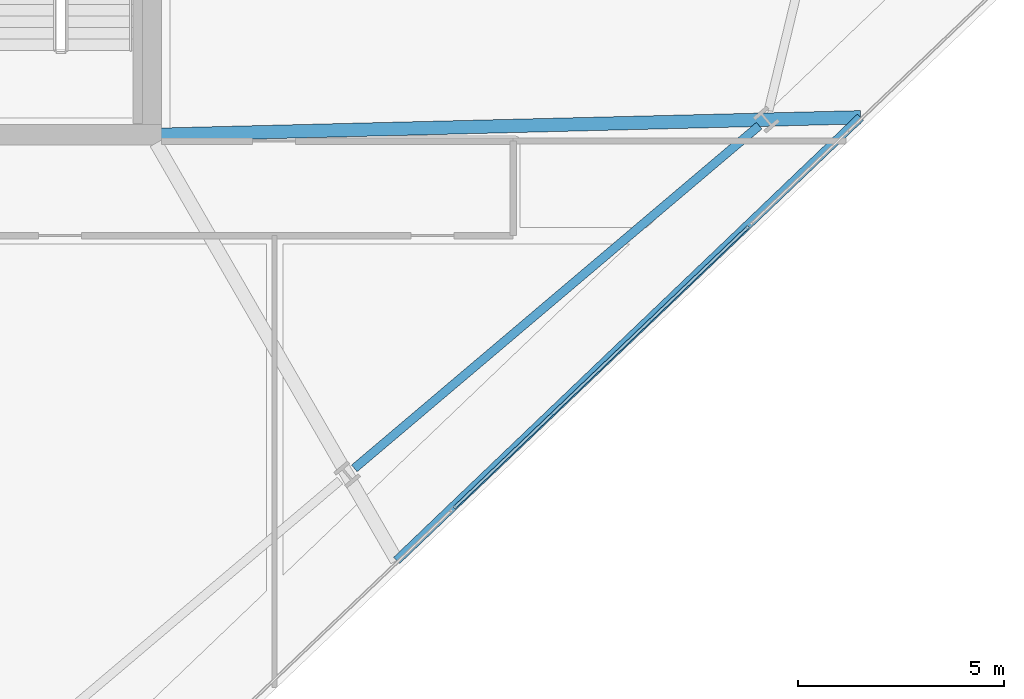
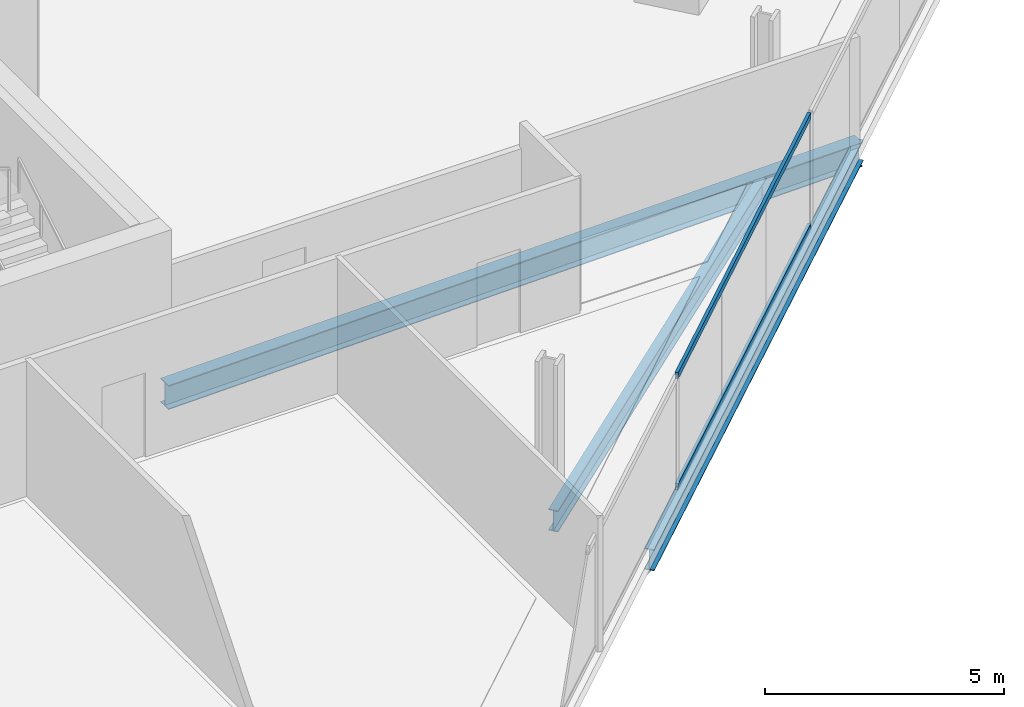
# One storey, part 9 of 33: 3 beams, 2 members, 1 element without a shape of its own.
"""IFC4 building model written with IfcOpenShell, lengths in metres."""

import ifcopenshell
import ifcopenshell.guid

model = None  # the IFC model being written
_history = None  # IfcOwnerHistory: only IFC2X3 demands one
_inside = {}  # id of a spatial element -> (the spatial element, [elements in it])
_under = {}  # id of a project, library or spatial element -> (it, [spatial elements below it])
_declared = {}  # id of a project -> (the project, [libraries it declares])
_typed = {}  # id of a type object -> (the type object, [elements of that type])
_made_of = {}  # id of a material, layer set ... -> (it, [elements and type objects made of it])


def new_model(schema):
    """Start an empty IFC model of exactly this schema.

    Asked for "IFC4X3", IfcOpenShell would pick the latest addendum, in which some entities
    have other attributes; the version numbers below select the first issue.
    IFC2X3 requires an IfcOwnerHistory on every rooted entity: one is made here for all.
    """
    global model, _history
    if schema == "IFC4X3":
        model = ifcopenshell.file(schema_version=(4, 3, 0, 0))
    else:
        model = ifcopenshell.file(schema=schema)
    _inside.clear()
    _under.clear()
    _declared.clear()
    _typed.clear()
    _made_of.clear()
    _history = None
    if model.schema == "IFC2X3":
        org = make("IfcOrganization", Name="unknown")
        user = make(
            "IfcPersonAndOrganization",
            ThePerson=make("IfcPerson", FamilyName="unknown"),
            TheOrganization=org,
        )
        app = make(
            "IfcApplication",
            ApplicationDeveloper=org,
            Version="unknown",
            ApplicationFullName="unknown",
            ApplicationIdentifier="unknown",
        )
        _history = make(
            "IfcOwnerHistory",
            OwningUser=user,
            OwningApplication=app,
            ChangeAction="ADDED",
            CreationDate=0,
        )
    return model


def make(cls, **values):
    """One entity of the class cls with the attributes given. An attribute that is None is left unset."""
    return model.create_entity(
        cls, **{name: value for name, value in values.items() if value is not None}
    )


def rooted(cls, **values):
    """An entity with a GlobalId (a new one), such as an element, a storey or a relation."""
    return make(cls, GlobalId=ifcopenshell.guid.new(), OwnerHistory=_history, **values)


def si_unit(unit_type, name, prefix=None):
    """IfcSIUnit, for example si_unit("LENGTHUNIT", "METRE", prefix="MILLI")."""
    return make("IfcSIUnit", UnitType=unit_type, Prefix=prefix, Name=name)


def assignment(units):
    """IfcUnitAssignment: the units of a project."""
    return None if units is None else make("IfcUnitAssignment", Units=units)


def point(xyz):
    """IfcCartesianPoint."""
    return None if xyz is None else make("IfcCartesianPoint", Coordinates=xyz)


def direction(xyz):
    """IfcDirection."""
    return None if xyz is None else make("IfcDirection", DirectionRatios=xyz)


def frame(location, z_axis=None, x_axis=None):
    """IfcAxis2Placement3D, a coordinate frame: its origin and axes. An axis left out is left unset."""
    return make(
        "IfcAxis2Placement3D",
        Location=point(location),
        Axis=direction(z_axis),
        RefDirection=direction(x_axis),
    )


def frame_2d(location, x_axis=None):
    """IfcAxis2Placement2D, a coordinate frame in the plane: its origin and x axis."""
    return make(
        "IfcAxis2Placement2D", Location=point(location), RefDirection=direction(x_axis)
    )


def origin():
    """The frame at (0, 0, 0) with its axes left unset."""
    return frame((0.0, 0.0, 0.0))


def origin_2d():
    """The frame at (0, 0) in the plane with its x axis left unset."""
    return frame_2d((0.0, 0.0))


def place(relative_to, where):
    """IfcLocalPlacement: puts the frame where relative to a parent placement (None: the world)."""
    return make(
        "IfcLocalPlacement", PlacementRelTo=relative_to, RelativePlacement=where
    )


def context(
    kind, dimensions, precision=None, world=None, true_north=None, identifier=None
):
    """IfcGeometricRepresentationContext, for example the 3D "Model" context."""
    return make(
        "IfcGeometricRepresentationContext",
        ContextIdentifier=identifier,
        ContextType=kind,
        CoordinateSpaceDimension=dimensions,
        Precision=precision,
        WorldCoordinateSystem=world,
        TrueNorth=true_north,
    )


def subcontext(parent, identifier, kind, view, scale=None):
    """IfcGeometricRepresentationSubContext, for example "Body" below "Model"."""
    return make(
        "IfcGeometricRepresentationSubContext",
        ContextIdentifier=identifier,
        ContextType=kind,
        ParentContext=parent,
        TargetScale=scale,
        TargetView=view,
    )


def project(units=None, contexts=None):
    """IfcProject with its units and contexts."""
    return rooted(
        "IfcProject",
        Name="project",
        RepresentationContexts=contexts,
        UnitsInContext=assignment(units),
    )


def spatial(cls, under=None, at=None, **own):
    """A site, building, storey or space (cls), placed at a placement, below another one or the project."""
    s = rooted(cls, ObjectPlacement=at, **own)
    if under is not None:
        _under.setdefault(under.id(), (under, []))[1].append(s)
    return s


def profile(cls, at=None, kind="AREA", **sizes):
    """A parametric profile (cls). Its sizes go by their IFC names, for example OverallWidth=200.0."""
    return make(cls, ProfileType=kind, Position=at, **sizes)


def hollow_rectangle(**sizes):
    """IfcRectangleHollowProfileDef."""
    return profile("IfcRectangleHollowProfileDef", **sizes)


def i_section(**sizes):
    """IfcIShapeProfileDef."""
    return profile("IfcIShapeProfileDef", **sizes)


def extrude(swept, where, along, depth):
    """IfcExtrudedAreaSolid: the profile swept, set in the frame where, extruded along a direction by depth."""
    return make(
        "IfcExtrudedAreaSolid",
        SweptArea=swept,
        Position=where,
        ExtrudedDirection=direction(along),
        Depth=depth,
    )


def shape(context_of_items, identifier, shape_type, items):
    """IfcShapeRepresentation: the items that make up one representation, for example the "Body"."""
    return make(
        "IfcShapeRepresentation",
        ContextOfItems=context_of_items,
        RepresentationIdentifier=identifier,
        RepresentationType=shape_type,
        Items=items,
    )


def material(Name=None, Category=None):
    """IfcMaterial."""
    return make("IfcMaterial", Name=Name, Category=Category)


def material_profile(
    of_material, cross_section, Name=None, Category=None, Priority=None
):
    """IfcMaterialProfile: a cross section and its material."""
    return make(
        "IfcMaterialProfile",
        Name=Name,
        Material=of_material,
        Profile=cross_section,
        Priority=Priority,
        Category=Category,
    )


def profile_set(profiles, Name=None, composite=None):
    """IfcMaterialProfileSet."""
    return make(
        "IfcMaterialProfileSet",
        Name=Name,
        MaterialProfiles=profiles,
        CompositeProfile=composite,
    )


def made_of(thing, what):
    """Note that an element or type object is made of a material, layer set ...; save() writes the relation."""
    if what is not None:
        _made_of.setdefault(what.id(), (what, []))[1].append(thing)
    return thing


def type_object(cls, material=None, **own):
    """A type object (cls), such as IfcWallType, which elements share."""
    return made_of(rooted(cls, **own), material)


def element(
    cls,
    number,
    at=None,
    inside=None,
    cuts=None,
    type_object=None,
    material=None,
    context=None,
    identifier="Body",
    shape_type=None,
    held_by="IfcProductDefinitionShape",
    body=None,
    shapes=None,
    **own,
):
    """One element of the class cls, such as IfcWall. Its Tag is "e" and its number.

    at: its placement. inside: the storey or other place that contains it. cuts: it is an
    opening in that element (IfcRelVoidsElement). A single representation is given by context,
    identifier, shape_type and body (its items); several are given by shapes. held_by: the class
    of the entity that holds the representations. save() writes the other relations.
    """
    e = rooted(cls, Tag="e%d" % number, ObjectPlacement=at, **own)
    if body is not None:
        shapes = [shape(context, identifier, shape_type, body)]
    if shapes is not None:
        e.Representation = make(held_by, Representations=shapes)
    if inside is not None:
        _inside.setdefault(inside.id(), (inside, []))[1].append(e)
    if cuts is not None:
        rooted(
            "IfcRelVoidsElement", RelatingBuildingElement=cuts, RelatedOpeningElement=e
        )
    if type_object is not None:
        _typed.setdefault(type_object.id(), (type_object, []))[1].append(e)
    return made_of(e, material)


def aggregate(whole, parts):
    """IfcRelAggregates: a whole, such as a stair, and the parts it consists of."""
    return rooted("IfcRelAggregates", RelatingObject=whole, RelatedObjects=parts)


def save(model, path):
    """Write the relations noted so far, then the file.

    IfcRelAggregates (storeys below a building ...), IfcRelContainedInSpatialStructure (elements
    in a storey), IfcRelDefinesByType, IfcRelAssociatesMaterial and IfcRelDeclares: one each for
    every whole, place, type object, material and project.
    """
    for whole, parts in _under.values():
        aggregate(whole, parts)
    for where, things in _inside.values():
        rooted(
            "IfcRelContainedInSpatialStructure",
            RelatedElements=things,
            RelatingStructure=where,
        )
    for kind, things in _typed.values():
        rooted("IfcRelDefinesByType", RelatedObjects=things, RelatingType=kind)
    for what, things in _made_of.values():
        rooted("IfcRelAssociatesMaterial", RelatedObjects=things, RelatingMaterial=what)
    for by, libraries in _declared.values():
        rooted("IfcRelDeclares", RelatingContext=by, RelatedDefinitions=libraries)
    model.write(path)


model = new_model("IFC4")

# Units and contexts
model_context = context("Model", 3, precision=1e-05, world=origin(), true_north=direction((0.0, 1.0)))
body_context = subcontext(model_context, "Body", "Model", "MODEL_VIEW")
ifc_project = project(units=[si_unit("LENGTHUNIT", "METRE"), si_unit("AREAUNIT", "SQUARE_METRE"), si_unit("VOLUMEUNIT", "CUBIC_METRE"), si_unit("PLANEANGLEUNIT", "RADIAN"), si_unit("MASSUNIT", "GRAM", prefix="KILO")], contexts=[model_context])

# Site, building, storey
site_placement = place(None, origin())
site = spatial("IfcSite", under=ifc_project, at=site_placement, CompositionType="ELEMENT")
building_placement = place(site_placement, origin())
building = spatial("IfcBuilding", under=site, at=building_placement, Name="Haldenkirk Collegiate Tower", CompositionType="ELEMENT")
storey_placement = place(building_placement, frame((0.0, 0.0, 174.449951171875)))
storey = spatial("IfcBuildingStorey", under=building, at=storey_placement, Name="L43", CompositionType="ELEMENT", Elevation=174.449951171875)

# Beams
ifc_material_1 = material(Name="Steel ASTM A992 Grade 50", Category="steel")
ifc_material_profile_1 = material_profile(ifc_material_1, i_section(OverallWidth=0.324951171875, OverallDepth=0.615966796875, WebThickness=0.013916015625, FlangeThickness=0.021484375, at=origin_2d()), Name="W24X117")
ifc_profile_set_1 = profile_set([ifc_material_profile_1], Name="Steel ASTM A992 Grade 50")
beam_type_1 = type_object("IfcBeamType", Name="BM-GIRDER-W24X117", PredefinedType="BEAM", material=ifc_profile_set_1)
beam_1_placement = place(storey_placement, frame((62.24462890625, 18.4296875, -0.597900390625), z_axis=(-0.999689542966, -0.024916213283, 0.0), x_axis=(0.024916213283, -0.999689542966, 0.0)))
element("IfcBeam", 1, at=beam_1_placement, inside=storey, type_object=beam_type_1, Name="L43 primary floor girder 07", PredefinedType="BEAM", context=body_context, shape_type="SweptSolid", body=[
    extrude(i_section(OverallWidth=0.324951171875, OverallDepth=0.615966796875, WebThickness=0.013916015625, FlangeThickness=0.021484375, at=origin_2d()), origin(), (0.0, 0.0, 1.0), 17.02001953125),
])
ifc_material_profile_2 = material_profile(ifc_material_1, i_section(OverallWidth=0.2119140625, OverallDepth=0.5439453125, WebThickness=0.01318359375, FlangeThickness=0.021240234375, at=origin_2d()), Name="W21X83")
ifc_profile_set_2 = profile_set([ifc_material_profile_2], Name="Steel ASTM A992 Grade 50")
beam_type_2 = type_object("IfcBeamType", Name="BM-SPANDREL-W21X83", PredefinedType="SPANDREL", material=ifc_profile_set_2)
beam_2_placement = place(storey_placement, frame((49.937255859375, 9.89111328125, -0.56201171875), z_axis=(0.763233335078, 0.646122957514, 0.0), x_axis=(-0.646122957514, 0.763233335078, 0.0)))
element("IfcBeam", 2, at=beam_2_placement, inside=storey, type_object=beam_type_2, Name="L43 perimeter spandrel beam 03", PredefinedType="SPANDREL", context=body_context, shape_type="SweptSolid", body=[
    extrude(i_section(OverallWidth=0.2119140625, OverallDepth=0.5439453125, WebThickness=0.01318359375, FlangeThickness=0.021240234375, at=origin_2d()), origin(), (0.0, 0.0, 1.0), 12.898193359375),
])
beam_3_placement = place(storey_placement, frame((50.9677734375, 7.6533203125, -0.56201171875), z_axis=(0.722968105597, 0.69088140682, 0.0), x_axis=(-0.69088140682, 0.722968105597, 0.0)))
element("IfcBeam", 3, at=beam_3_placement, inside=storey, type_object=beam_type_2, Name="L43 outer facade edge beam 1", PredefinedType="SPANDREL", context=body_context, shape_type="SweptSolid", body=[
    extrude(i_section(OverallWidth=0.2119140625, OverallDepth=0.5439453125, WebThickness=0.01318359375, FlangeThickness=0.021240234375, at=origin_2d()), origin(), (0.0, 0.0, 1.0), 15.597900390625),
])

# Curtain wall, members
ifc_material_2 = material(Name="Anodised architectural bronze aluminium", Category="aluminium")
curtain_wall_type = type_object("IfcCurtainWallType", Name="CW-SYS2-CONCAVE", PredefinedType="USERDEFINED", material=ifc_material_2)
curtain_wall_placement = place(storey_placement, origin())
curtain_wall = element("IfcCurtainWall", 4, at=curtain_wall_placement, inside=storey, type_object=curtain_wall_type, Name="L43 South concave recessed bronze-anodised curtain wall", ObjectType="UNITISED CURTAIN WALL", PredefinedType="USERDEFINED")
ifc_material_profile_3 = material_profile(ifc_material_2, hollow_rectangle(XDim=0.074951171875, YDim=0.159912109375, WallThickness=0.0048828125, at=origin_2d()), Name="CW-TRN-02")
ifc_profile_set_3 = profile_set([ifc_material_profile_3], Name="Anodised architectural bronze aluminium")
member_type = type_object("IfcMemberType", Name="CW-TRN-02", PredefinedType="USERDEFINED", material=ifc_profile_set_3)
member_1_placement = place(storey_placement, frame((59.520263671875, 15.77099609375, 0.03759765625), z_axis=(-0.722966876207, -0.690882693305, 0.0), x_axis=(0.690882693305, -0.722966876207, 0.0)))
member_1 = element("IfcMember", 5, at=member_1_placement, type_object=member_type, Name="CW-02 transom 2.1", ObjectType="TRANSOM", PredefinedType="USERDEFINED", context=body_context, shape_type="SweptSolid", body=[
    extrude(hollow_rectangle(XDim=0.074951171875, YDim=0.159912109375, WallThickness=0.0048828125, at=origin_2d()), origin(), (0.0, 0.0, 1.0), 9.89990234375),
])
member_2_placement = place(storey_placement, frame((59.520263671875, 15.77099609375, 2.87353515625), z_axis=(-0.722966876207, -0.690882693305, 0.0), x_axis=(0.690882693305, -0.722966876207, 0.0)))
member_2 = element("IfcMember", 6, at=member_2_placement, type_object=member_type, Name="CW-02 transom 2.2", ObjectType="TRANSOM", PredefinedType="USERDEFINED", context=body_context, shape_type="SweptSolid", body=[
    extrude(hollow_rectangle(XDim=0.074951171875, YDim=0.159912109375, WallThickness=0.0048828125, at=origin_2d()), origin(), (0.0, 0.0, 1.0), 9.89990234375),
])
aggregate(curtain_wall, [member_1, member_2])

save(model, "model.ifc")
